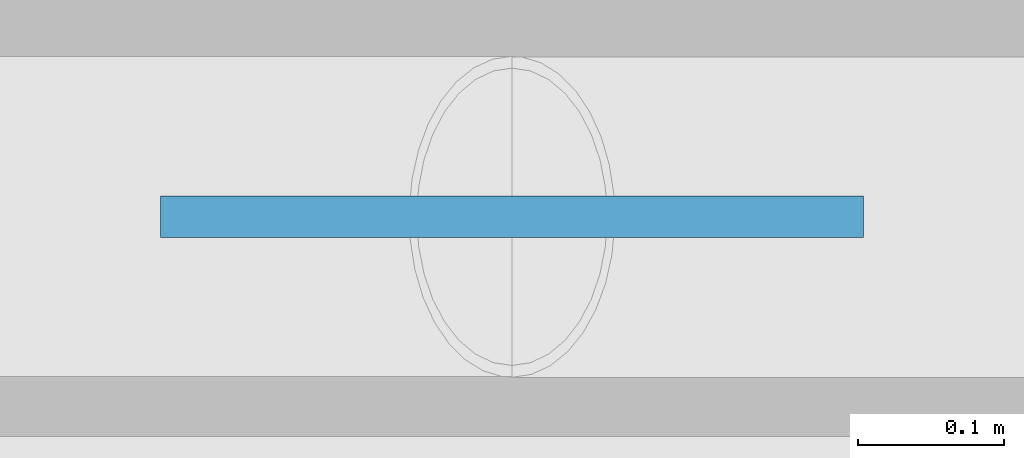
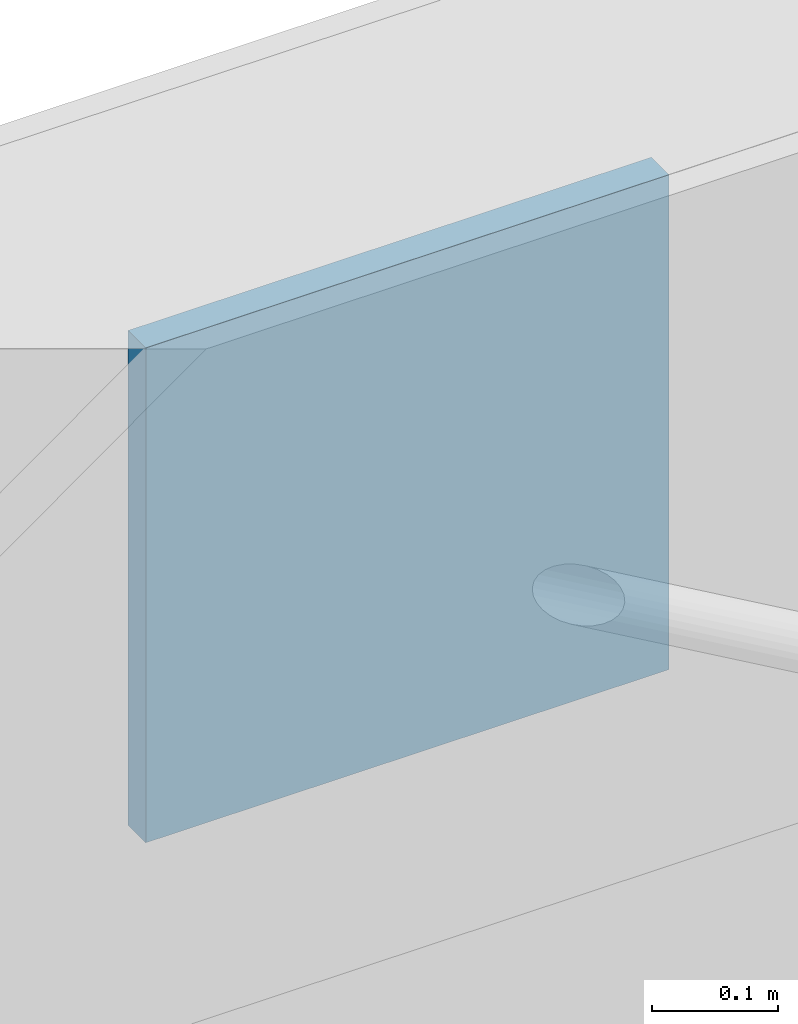
# One storey, part 7 of 17: 1 plate.
"""IFC4 building model written with IfcOpenShell, lengths in metres."""

from ifc_helpers import new_model, si_unit, direction, frame, origin, origin_2d, place, context, subcontext, project, spatial, rectangle, extrude, material, layer, layer_set, type_object, element, save


model = new_model("IFC4")

# Units and contexts
model_context = context("Model", 3, precision=1e-05, world=origin(), true_north=direction((0.0, 1.0)))
body_context = subcontext(model_context, "Body", "Model", "MODEL_VIEW")
ifc_project = project(units=[si_unit("LENGTHUNIT", "METRE"), si_unit("AREAUNIT", "SQUARE_METRE"), si_unit("VOLUMEUNIT", "CUBIC_METRE"), si_unit("PLANEANGLEUNIT", "RADIAN"), si_unit("MASSUNIT", "GRAM", prefix="KILO")], contexts=[model_context])

# Site, building, storey
site_placement = place(None, origin())
site = spatial("IfcSite", under=ifc_project, at=site_placement, CompositionType="ELEMENT")
building_placement = place(site_placement, origin())
building = spatial("IfcBuilding", under=site, at=building_placement, Name="Chengyuan Square Courthouse", CompositionType="ELEMENT")
storey_placement = place(building_placement, frame((0.0, 0.0, 51.89990234375)))
storey = spatial("IfcBuildingStorey", under=building, at=storey_placement, Name="L12", CompositionType="ELEMENT", Elevation=51.89990234375)

# Plate
ifc_material = material(Name="Steel Q355B", Category="steel")
ifc_layer = layer(ifc_material, 0.028076171875)
ifc_layer_set = layer_set([ifc_layer], Name="Steel Q355B")
plate_type = type_object("IfcPlateType", Name="GP-02", PredefinedType="SHEET", material=ifc_layer_set)
plate_placement = place(storey_placement, frame((105.0, 108.0, 3.3701171875), z_axis=(0.0, 0.0, 1.0), x_axis=(1.0, 0.0, 0.0)))
element("IfcPlate", 1, at=plate_placement, inside=storey, type_object=plate_type, Name="Brace Gusset Plate GP-L12-12", PredefinedType="SHEET", context=body_context, shape_type="SweptSolid", body=[
    extrude(rectangle(XDim=0.47998046875, YDim=0.028076171875, at=origin_2d()), origin(), (0.0, 0.0, 1.0), 0.47998046875),
])

save(model, "model.ifc")
